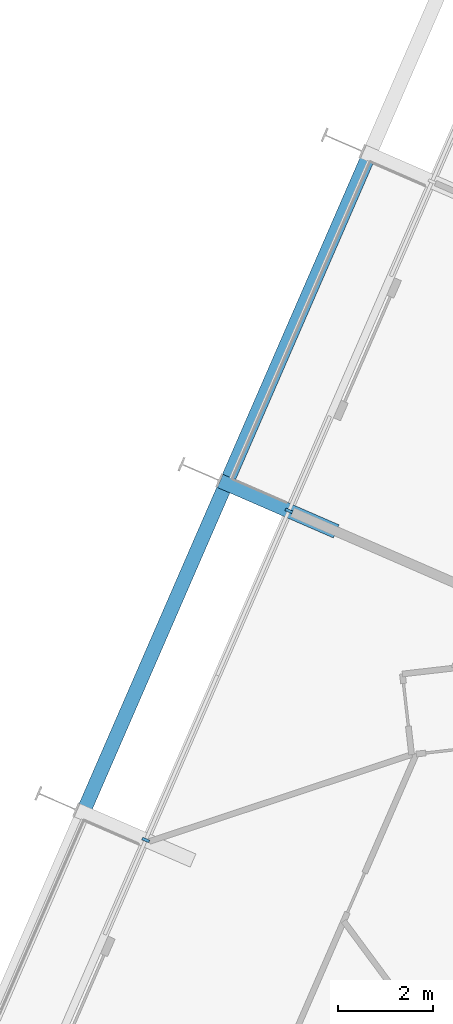
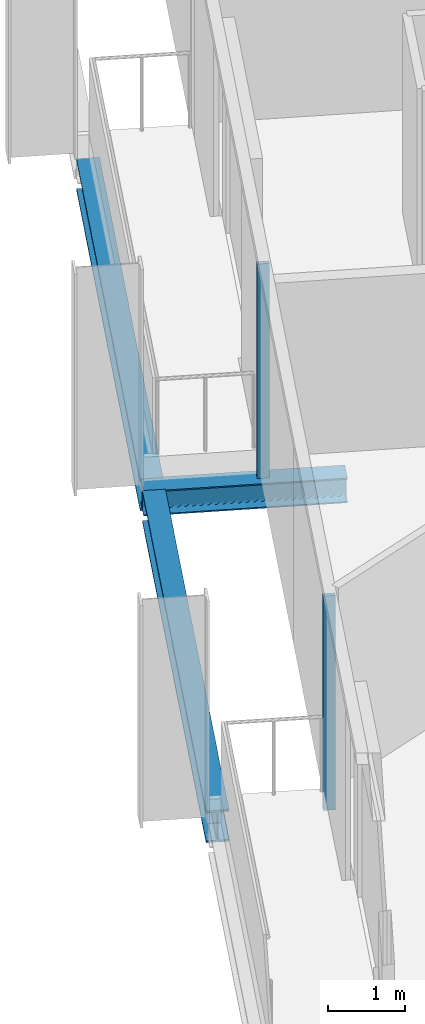
# One storey, part 5 of 22: 3 beams, 2 members, 1 element without a shape of its own.
"""IFC4 building model written with IfcOpenShell, lengths in metres."""

from ifc_helpers import new_model, si_unit, direction, frame, origin, origin_2d, place, context, subcontext, project, spatial, rectangle, i_section, extrude, material, layer, layer_set, material_profile, profile_set, type_object, element, aggregate, save


model = new_model("IFC4")

# Units and contexts
model_context = context("Model", 3, precision=1e-05, world=origin(), true_north=direction((0.0, 1.0)))
body_context = subcontext(model_context, "Body", "Model", "MODEL_VIEW")
ifc_project = project(units=[si_unit("LENGTHUNIT", "METRE"), si_unit("AREAUNIT", "SQUARE_METRE"), si_unit("VOLUMEUNIT", "CUBIC_METRE"), si_unit("PLANEANGLEUNIT", "RADIAN"), si_unit("MASSUNIT", "GRAM", prefix="KILO")], contexts=[model_context])

# Site, building, storey
site_placement = place(None, origin())
site = spatial("IfcSite", under=ifc_project, at=site_placement, CompositionType="ELEMENT")
building_placement = place(site_placement, origin())
building = spatial("IfcBuilding", under=site, at=building_placement, Name="Spindle Arch Residences", CompositionType="ELEMENT")
storey_placement = place(building_placement, frame((0.0, 0.0, 80.199951171875)))
storey = spatial("IfcBuildingStorey", under=building, at=storey_placement, Name="L18", CompositionType="ELEMENT", Elevation=80.199951171875)

# Curtain wall, members
ifc_material_1 = material(Name="Aluminium bronze unitised frame with tinted glass", Category="aluminium")
ifc_layer = layer(ifc_material_1, 0.159912109375)
ifc_layer_set = layer_set([ifc_layer], Name="CW-C typical residential unitised wall")
curtain_wall_type = type_object("IfcCurtainWallType", Name="CW-C typical residential unitised wall", PredefinedType="NOTDEFINED", material=ifc_layer_set)
curtain_wall_placement = place(storey_placement, origin())
curtain_wall = element("IfcCurtainWall", 1, at=curtain_wall_placement, inside=storey, type_object=curtain_wall_type, Name="CW-C L18 run 4", PredefinedType="NOTDEFINED")
ifc_material_2 = material(Name="Aluminium bronze anodised mullion", Category="aluminium")
ifc_material_profile_1 = material_profile(ifc_material_2, rectangle(XDim=0.159912109375, YDim=0.06005859375, at=origin_2d()), Name="MU 60x160")
ifc_profile_set_1 = profile_set([ifc_material_profile_1], Name="Aluminium bronze anodised mullion")
member_type = type_object("IfcMemberType", Name="Bronze mullion 60x160", PredefinedType="MULLION", material=ifc_profile_set_1)
member_1_placement = place(storey_placement, frame((-19.232666015625, 4.26318359375, -0.3798828125), z_axis=(0.0, 0.0, 1.0), x_axis=(0.917060074385, -0.398749068925, 0.0)))
member_1 = element("IfcMember", 2, at=member_1_placement, type_object=member_type, Name="CW-C mullion 16", PredefinedType="MULLION", context=body_context, shape_type="SweptSolid", body=[
    extrude(rectangle(XDim=0.159912109375, YDim=0.06005859375, at=origin_2d()), origin(), (0.0, 0.0, 1.0), 3.3798828125),
])
member_2_placement = place(storey_placement, frame((-22.23095703125, -2.632080078125, -0.3798828125), z_axis=(0.0, 0.0, 1.0), x_axis=(0.917060074385, -0.398749068925, 0.0)))
member_2 = element("IfcMember", 3, at=member_2_placement, type_object=member_type, Name="CW-C mullion 17", PredefinedType="MULLION", context=body_context, shape_type="SweptSolid", body=[
    extrude(rectangle(XDim=0.159912109375, YDim=0.06005859375, at=origin_2d()), origin(), (0.0, 0.0, 1.0), 3.3798828125),
])
aggregate(curtain_wall, [member_1, member_2])

# Beams
ifc_material_3 = material(Name="Steel S460ML, intumescent coating R 120", Category="steel")
ifc_material_profile_2 = material_profile(ifc_material_3, i_section(OverallWidth=0.300048828125, OverallDepth=0.5, WebThickness=0.014404296875, FlangeThickness=0.028076171875, FilletRadius=0.027099609375, at=origin_2d()), Name="HEB 500")
ifc_profile_set_2 = profile_set([ifc_material_profile_2], Name="Steel S460ML, intumescent coating R 120")
beam_type_1 = type_object("IfcBeamType", Name="Exoskeleton edge beam HEB 500", PredefinedType="BEAM", material=ifc_profile_set_2)
for number, where, z_axis, x_axis, name in (
    (4, (-17.6005859375, 11.610595703125, -0.6298828125), (-0.398760546857, -0.917055083553, 0.0), (0.917055083553, -0.398760546857, 0.0), "Exoskeleton edge beam 16"),
    (5, (-20.5986328125, 4.71533203125, -0.6298828125), (-0.398760546857, -0.917055083553, 0.0), (0.917055083553, -0.398760546857, 0.0), "Exoskeleton edge beam 17"),
):
    element("IfcBeam", number, at=place(storey_placement, frame(where, z_axis=z_axis, x_axis=x_axis)), inside=storey, type_object=beam_type_1, Name=name, PredefinedType="BEAM", context=body_context, shape_type="SweptSolid", body=[
        extrude(i_section(OverallWidth=0.300048828125, OverallDepth=0.5, WebThickness=0.014404296875, FlangeThickness=0.028076171875, FilletRadius=0.027099609375, at=origin_2d()), origin(), (0.0, 0.0, 1.0), 7.2587890625),
    ])
ifc_material_4 = material(Name="Steel S460ML, intumescent coating R 120", Category="steel")
ifc_material_profile_3 = material_profile(ifc_material_4, i_section(OverallWidth=0.300048828125, OverallDepth=0.389892578125, WebThickness=0.010986328125, FlangeThickness=0.01904296875, FilletRadius=0.027099609375, at=origin_2d()), Name="HEA 400")
ifc_profile_set_3 = profile_set([ifc_material_profile_3], Name="Steel S460ML, intumescent coating R 120")
beam_type_2 = type_object("IfcBeamType", Name="Floor outrigger HEA 400", PredefinedType="BEAM", material=ifc_profile_set_3)
beam_placement = place(storey_placement, frame((-20.672607421875, 4.889404296875, -0.574951171875), z_axis=(0.917045157424, -0.398783373831, 0.0), x_axis=(0.398783373831, 0.917045157424, 0.0)))
element("IfcBeam", 6, at=beam_placement, inside=storey, type_object=beam_type_2, Name="Floor outrigger 17", PredefinedType="BEAM", context=body_context, shape_type="SweptSolid", body=[
    extrude(i_section(OverallWidth=0.300048828125, OverallDepth=0.389892578125, WebThickness=0.010986328125, FlangeThickness=0.01904296875, FilletRadius=0.027099609375, at=origin_2d()), origin(), (0.0, 0.0, 1.0), 2.650390625),
])

save(model, "model.ifc")
